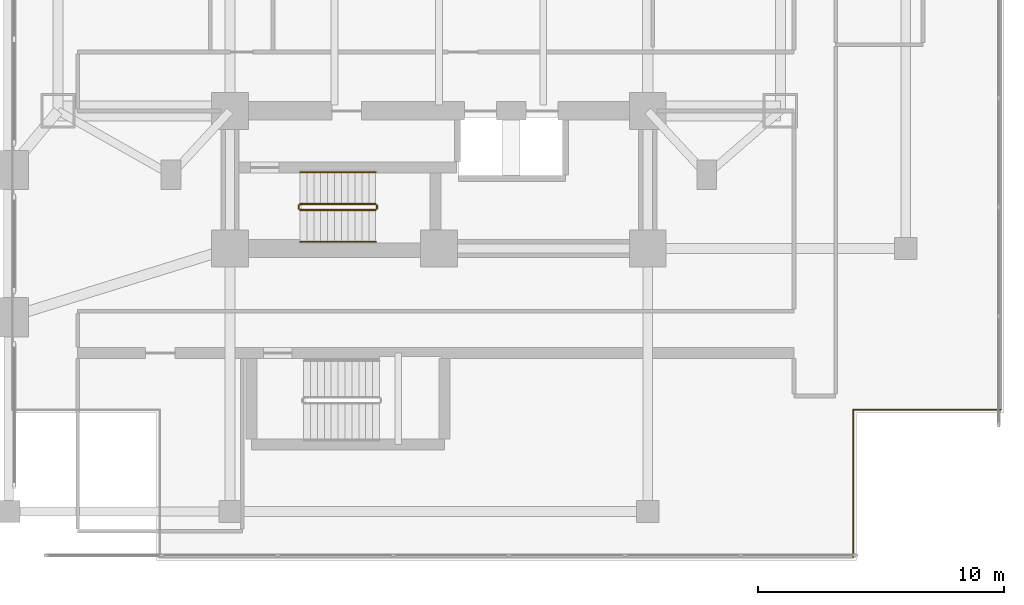
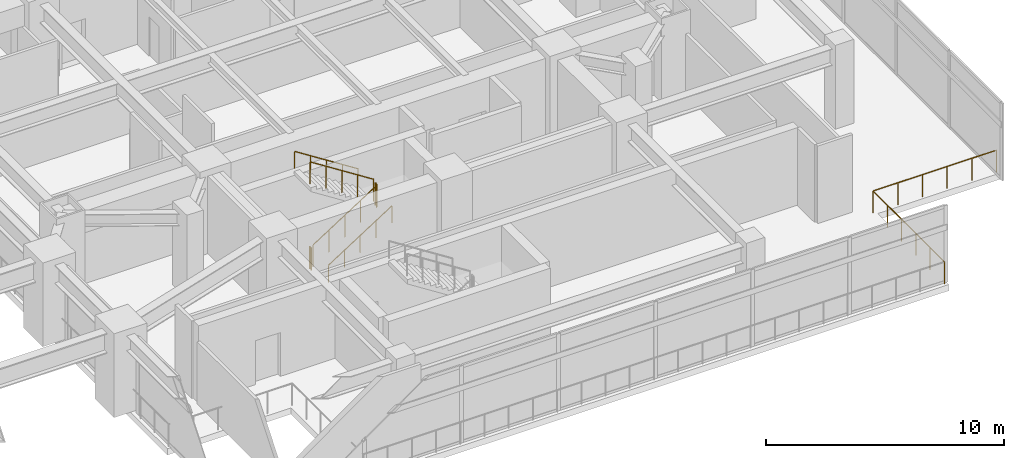
# One storey, part 27 of 30: 8 railings.
"""IFC4 building model written with IfcOpenShell, lengths in metres."""

from ifc_helpers import new_model, si_unit, direction, frame, origin, origin_2d, place, context, subcontext, project, spatial, circle, extrude, material, type_object, element, save


model = new_model("IFC4")

# Units and contexts
model_context = context("Model", 3, precision=1e-05, world=origin(), true_north=direction((0.0, 1.0)))
body_context = subcontext(model_context, "Body", "Model", "MODEL_VIEW")
ifc_project = project(units=[si_unit("LENGTHUNIT", "METRE"), si_unit("AREAUNIT", "SQUARE_METRE"), si_unit("VOLUMEUNIT", "CUBIC_METRE"), si_unit("PLANEANGLEUNIT", "RADIAN"), si_unit("MASSUNIT", "GRAM", prefix="KILO")], contexts=[model_context])

# Site, building, storey
site_placement = place(None, origin())
site = spatial("IfcSite", under=ifc_project, at=site_placement, CompositionType="ELEMENT")
building_placement = place(site_placement, origin())
building = spatial("IfcBuilding", under=site, at=building_placement, Name="Mirazonda Arch Towers", CompositionType="ELEMENT")
storey_placement = place(building_placement, frame((0.0, 0.0, 9.5)))
storey = spatial("IfcBuildingStorey", under=building, at=storey_placement, Name="L02", CompositionType="ELEMENT", Elevation=9.5)

# Railings
ifc_material = material(Name="Architectural Brushed Steel S355", Category="steel")
railing_type_1 = type_object("IfcRailingType", Name="GUARD-EXT-1150", PredefinedType="GUARDRAIL", material=ifc_material)
railing_1_placement = place(storey_placement, frame((93.360107421875, 2.639892578125, 0.0)))
element("IfcRailing", 1, at=railing_1_placement, inside=storey, type_object=railing_type_1, Name="L02 L02 East Podium Perimeter Guard 02", PredefinedType="GUARDRAIL", context=body_context, shape_type="SweptSolid", body=[
    extrude(circle(Radius=0.02392578125, at=origin_2d()), frame((0.0, 0.0, 1.1259765625), z_axis=(0.0, 1.0, 0.0), x_axis=(-1.0, 0.0, 0.0)), (0.0, 0.0, 1.0), 6.0),
    extrude(circle(Radius=0.02099609375, at=origin_2d()), origin(), (0.0, 0.0, 1.0), 1.101806640625),
    extrude(circle(Radius=0.02099609375, at=origin_2d()), frame((0.0, 1.199951171875, 0.0)), (0.0, 0.0, 1.0), 1.101806640625),
    extrude(circle(Radius=0.02099609375, at=origin_2d()), frame((0.0, 2.39990234375, 0.0)), (0.0, 0.0, 1.0), 1.101806640625),
    extrude(circle(Radius=0.02099609375, at=origin_2d()), frame((0.0, 3.60009765625, 0.0)), (0.0, 0.0, 1.0), 1.101806640625),
    extrude(circle(Radius=0.02099609375, at=origin_2d()), frame((0.0, 4.800048828125, 0.0)), (0.0, 0.0, 1.0), 1.101806640625),
    extrude(circle(Radius=0.02099609375, at=origin_2d()), frame((0.0, 6.0, 0.0)), (0.0, 0.0, 1.0), 1.101806640625),
])
railing_2_placement = place(storey_placement, frame((93.360107421875, 8.639892578125, 0.0)))
element("IfcRailing", 2, at=railing_2_placement, inside=storey, type_object=railing_type_1, Name="L02 L02 East Podium Perimeter Guard 03", PredefinedType="GUARDRAIL", context=body_context, shape_type="SweptSolid", body=[
    extrude(circle(Radius=0.02392578125, at=origin_2d()), frame((0.0, 0.0, 1.1259765625), z_axis=(1.0, 0.0, 0.0), x_axis=(0.0, 1.0, 0.0)), (0.0, 0.0, 1.0), 6.0),
    extrude(circle(Radius=0.02099609375, at=origin_2d()), origin(), (0.0, 0.0, 1.0), 1.101806640625),
    extrude(circle(Radius=0.02099609375, at=origin_2d()), frame((1.199951171875, 0.0, 0.0)), (0.0, 0.0, 1.0), 1.101806640625),
    extrude(circle(Radius=0.02099609375, at=origin_2d()), frame((2.39990234375, 0.0, 0.0)), (0.0, 0.0, 1.0), 1.101806640625),
    extrude(circle(Radius=0.02099609375, at=origin_2d()), frame((3.60009765625, 0.0, 0.0)), (0.0, 0.0, 1.0), 1.101806640625),
    extrude(circle(Radius=0.02099609375, at=origin_2d()), frame((4.800048828125, 0.0, 0.0)), (0.0, 0.0, 1.0), 1.101806640625),
    extrude(circle(Radius=0.02099609375, at=origin_2d()), frame((6.0, 0.0, 0.0)), (0.0, 0.0, 1.0), 1.101806640625),
])
railing_type_2 = type_object("IfcRailingType", Name="GUARD-STAIR-1120", PredefinedType="GUARDRAIL", material=ifc_material)
railing_3_placement = place(storey_placement, frame((70.85009765625, 16.77001953125, 0.17919921875)))
element("IfcRailing", 3, at=railing_3_placement, inside=storey, type_object=railing_type_2, Name="L02 ST-T2S stair guard 1", PredefinedType="GUARDRAIL", context=body_context, shape_type="SweptSolid", body=[
    extrude(circle(Radius=0.02392578125, at=origin_2d()), frame((0.0, 0.0, 1.1259765625), z_axis=(0.842319903074, 0.0, 0.538977903893), x_axis=(0.0, 1.0, 0.0)), (0.0, 0.0, 1.0), 3.65625),
    extrude(circle(Radius=0.02099609375, at=origin_2d()), origin(), (0.0, 0.0, 1.0), 1.101806640625),
    extrude(circle(Radius=0.02099609375, at=origin_2d()), frame((0.77001953125, 0.0, 0.49267578125)), (0.0, 0.0, 1.0), 1.101806640625),
    extrude(circle(Radius=0.02099609375, at=origin_2d()), frame((1.5400390625, 0.0, 0.9853515625)), (0.0, 0.0, 1.0), 1.101806640625),
    extrude(circle(Radius=0.02099609375, at=origin_2d()), frame((2.309814453125, 0.0, 1.47802734375)), (0.0, 0.0, 1.0), 1.101806640625),
    extrude(circle(Radius=0.02099609375, at=origin_2d()), frame((3.079833984375, 0.0, 1.970703125)), (0.0, 0.0, 1.0), 1.101806640625),
])
railing_4_placement = place(storey_placement, frame((73.97998046875, 16.820068359375, 2.14990234375)))
element("IfcRailing", 4, at=railing_4_placement, inside=storey, type_object=railing_type_2, Name="L02 ST-T2S stair guard 2", PredefinedType="GUARDRAIL", context=body_context, shape_type="SweptSolid", body=[
    extrude(circle(Radius=0.02392578125, at=origin_2d()), frame((0.0, 0.0, 1.1259765625), z_axis=(0.0, 1.0, 0.0), x_axis=(-1.0, 0.0, 0.0)), (0.0, 0.0, 1.0), 0.139892578125),
    extrude(circle(Radius=0.02099609375, at=origin_2d()), origin(), (0.0, 0.0, 1.0), 1.101806640625),
    extrude(circle(Radius=0.02099609375, at=origin_2d()), frame((0.0, 0.139892578125, 0.0)), (0.0, 0.0, 1.0), 1.101806640625),
])
railing_5_placement = place(storey_placement, frame((73.929931640625, 17.010009765625, 2.3291015625)))
element("IfcRailing", 5, at=railing_5_placement, inside=storey, type_object=railing_type_2, Name="L02 ST-T2S stair guard 3", PredefinedType="GUARDRAIL", context=body_context, shape_type="SweptSolid", body=[
    extrude(circle(Radius=0.02392578125, at=origin_2d()), frame((0.0, 0.0, 1.1259765625), z_axis=(-0.842289589211, 0.0, 0.539025275759), x_axis=(0.0, -1.0, 0.0)), (0.0, 0.0, 1.0), 3.656494140625),
    extrude(circle(Radius=0.02099609375, at=origin_2d()), origin(), (0.0, 0.0, 1.0), 1.101806640625),
    extrude(circle(Radius=0.02099609375, at=origin_2d()), frame((-0.77001953125, 0.0, 0.49267578125)), (0.0, 0.0, 1.0), 1.101806640625),
    extrude(circle(Radius=0.02099609375, at=origin_2d()), frame((-1.5400390625, 0.0, 0.9853515625)), (0.0, 0.0, 1.0), 1.101806640625),
    extrude(circle(Radius=0.02099609375, at=origin_2d()), frame((-2.309814453125, 0.0, 1.478271484375)), (0.0, 0.0, 1.0), 1.101806640625),
    extrude(circle(Radius=0.02099609375, at=origin_2d()), frame((-3.079833984375, 0.0, 1.970947265625)), (0.0, 0.0, 1.0), 1.101806640625),
])
railing_6_placement = place(storey_placement, frame((70.800048828125, 16.820068359375, 0.0)))
element("IfcRailing", 6, at=railing_6_placement, inside=storey, type_object=railing_type_2, Name="L02 ST-T2S stair guard 4", PredefinedType="GUARDRAIL", context=body_context, shape_type="SweptSolid", body=[
    extrude(circle(Radius=0.02392578125, at=origin_2d()), frame((0.0, 0.0, 1.1259765625), z_axis=(0.0, 1.0, 0.0), x_axis=(-1.0, 0.0, 0.0)), (0.0, 0.0, 1.0), 0.139892578125),
    extrude(circle(Radius=0.02099609375, at=origin_2d()), origin(), (0.0, 0.0, 1.0), 1.101806640625),
    extrude(circle(Radius=0.02099609375, at=origin_2d()), frame((0.0, 0.139892578125, 0.0)), (0.0, 0.0, 1.0), 1.101806640625),
])
railing_type_3 = type_object("IfcRailingType", Name="HANDRAIL-915", PredefinedType="HANDRAIL", material=ifc_material)
railing_7_placement = place(storey_placement, frame((70.85009765625, 15.469970703125, 0.17919921875)))
element("IfcRailing", 7, at=railing_7_placement, inside=storey, type_object=railing_type_3, Name="L02 ST-T2S stair handrail 1", PredefinedType="HANDRAIL", context=body_context, shape_type="SweptSolid", body=[
    extrude(circle(Radius=0.02392578125, at=origin_2d()), frame((0.0, 0.0, 0.8759765625), z_axis=(0.842319903074, 0.0, 0.538977903893), x_axis=(0.0, 1.0, 0.0)), (0.0, 0.0, 1.0), 3.65625),
    extrude(circle(Radius=0.02099609375, at=origin_2d()), origin(), (0.0, 0.0, 1.0), 0.851806640625),
    extrude(circle(Radius=0.02099609375, at=origin_2d()), frame((0.77001953125, 0.0, 0.49267578125)), (0.0, 0.0, 1.0), 0.851806640625),
    extrude(circle(Radius=0.02099609375, at=origin_2d()), frame((1.5400390625, 0.0, 0.9853515625)), (0.0, 0.0, 1.0), 0.851806640625),
    extrude(circle(Radius=0.02099609375, at=origin_2d()), frame((2.309814453125, 0.0, 1.47802734375)), (0.0, 0.0, 1.0), 0.851806640625),
    extrude(circle(Radius=0.02099609375, at=origin_2d()), frame((3.079833984375, 0.0, 1.970703125)), (0.0, 0.0, 1.0), 0.851806640625),
])
railing_8_placement = place(storey_placement, frame((73.929931640625, 18.31005859375, 2.3291015625)))
element("IfcRailing", 8, at=railing_8_placement, inside=storey, type_object=railing_type_3, Name="L02 ST-T2S stair handrail 2", PredefinedType="HANDRAIL", context=body_context, shape_type="SweptSolid", body=[
    extrude(circle(Radius=0.02392578125, at=origin_2d()), frame((0.0, 0.0, 0.8759765625), z_axis=(-0.842289589211, 0.0, 0.539025275759), x_axis=(0.0, -1.0, 0.0)), (0.0, 0.0, 1.0), 3.656494140625),
    extrude(circle(Radius=0.02099609375, at=origin_2d()), origin(), (0.0, 0.0, 1.0), 0.851806640625),
    extrude(circle(Radius=0.02099609375, at=origin_2d()), frame((-0.77001953125, 0.0, 0.49267578125)), (0.0, 0.0, 1.0), 0.851806640625),
    extrude(circle(Radius=0.02099609375, at=origin_2d()), frame((-1.5400390625, 0.0, 0.9853515625)), (0.0, 0.0, 1.0), 0.851806640625),
    extrude(circle(Radius=0.02099609375, at=origin_2d()), frame((-2.309814453125, 0.0, 1.478271484375)), (0.0, 0.0, 1.0), 0.851806640625),
    extrude(circle(Radius=0.02099609375, at=origin_2d()), frame((-3.079833984375, 0.0, 1.970947265625)), (0.0, 0.0, 1.0), 0.851806640625),
])

save(model, "model.ifc")
